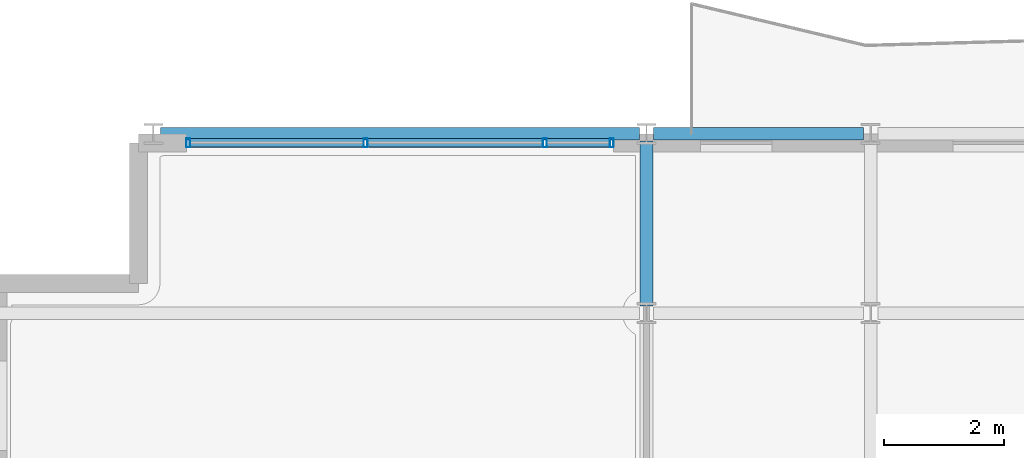
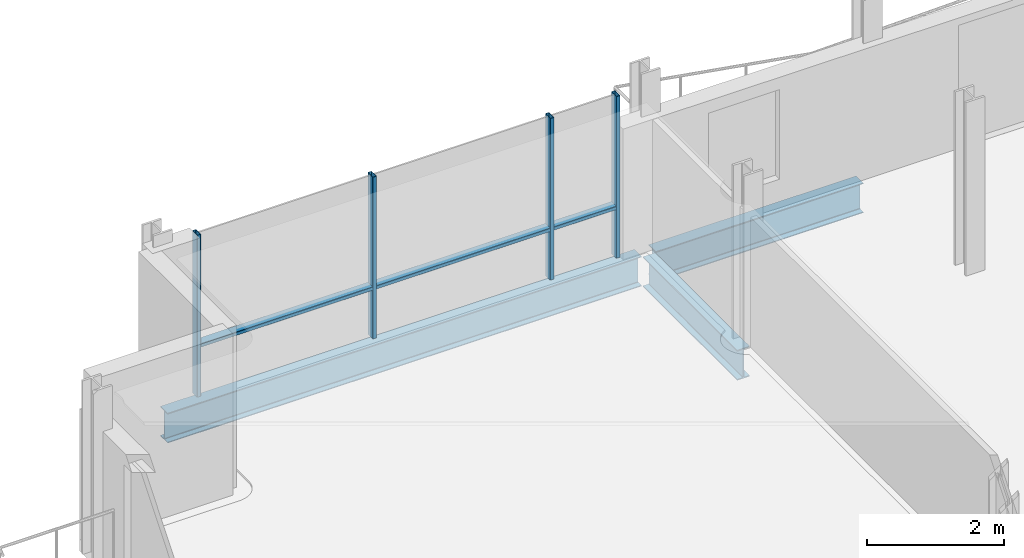
# One storey, part 2 of 12: 7 members, 3 beams, 1 element without a shape of its own.
"""IFC4 building model written with IfcOpenShell, lengths in metres."""

from ifc_helpers import new_model, si_unit, direction, frame, origin, origin_2d, place, context, subcontext, project, spatial, hollow_rectangle, i_section, extrude, material, layer, layer_set, material_profile, profile_set, type_object, element, aggregate, save


model = new_model("IFC4")

# Units and contexts
model_context = context("Model", 3, precision=1e-05, world=origin(), true_north=direction((0.0, 1.0)))
body_context = subcontext(model_context, "Body", "Model", "MODEL_VIEW")
ifc_project = project(units=[si_unit("LENGTHUNIT", "METRE"), si_unit("AREAUNIT", "SQUARE_METRE"), si_unit("VOLUMEUNIT", "CUBIC_METRE"), si_unit("PLANEANGLEUNIT", "RADIAN"), si_unit("MASSUNIT", "GRAM", prefix="KILO")], contexts=[model_context])

# Site, building, storey
site_placement = place(None, origin())
site = spatial("IfcSite", under=ifc_project, at=site_placement, CompositionType="ELEMENT")
building_placement = place(site_placement, origin())
building = spatial("IfcBuilding", under=site, at=building_placement, Name="Brevholm Reach", CompositionType="ELEMENT")
storey_placement = place(building_placement, frame((0.0, 0.0, 233.5)))
storey = spatial("IfcBuildingStorey", under=building, at=storey_placement, Name="L71", CompositionType="ELEMENT", Elevation=233.5)

# Beams
ifc_material_1 = material(Name="Structural Steel S355J2", Category="steel")
ifc_material_profile_1 = material_profile(ifc_material_1, i_section(OverallWidth=0.209228515625, OverallDepth=0.533203125, WebThickness=0.010009765625, FlangeThickness=0.015625, FilletRadius=0.0126953125, at=origin_2d()), Name="UKB 533x210x92")
ifc_profile_set_1 = profile_set([ifc_material_profile_1], Name="Structural Steel S355J2")
beam_type_1 = type_object("IfcBeamType", Name="BM-SP533", PredefinedType="SPANDREL", material=ifc_profile_set_1)
beam_1_placement = place(storey_placement, frame((30.1201171875, 26.5, -0.4765625), z_axis=(1.0, 0.0, 0.0), x_axis=(0.0, 1.0, 0.0)))
element("IfcBeam", 1, at=beam_1_placement, inside=storey, type_object=beam_type_1, Name="L71 SP-02 Framing Beam", PredefinedType="SPANDREL", context=body_context, shape_type="SweptSolid", body=[
    extrude(i_section(OverallWidth=0.209228515625, OverallDepth=0.533203125, WebThickness=0.010009765625, FlangeThickness=0.015625, FilletRadius=0.0126953125, at=origin_2d()), origin(), (0.0, 0.0, 1.0), 8.009765625),
])
beam_2_placement = place(storey_placement, frame((38.3701171875, 26.5, -0.4765625), z_axis=(1.0, 0.0, 0.0), x_axis=(0.0, 1.0, 0.0)))
element("IfcBeam", 2, at=beam_2_placement, inside=storey, type_object=beam_type_1, Name="L71 SP-02 Framing Beam", PredefinedType="SPANDREL", context=body_context, shape_type="SweptSolid", body=[
    extrude(i_section(OverallWidth=0.209228515625, OverallDepth=0.533203125, WebThickness=0.010009765625, FlangeThickness=0.015625, FilletRadius=0.0126953125, at=origin_2d()), origin(), (0.0, 0.0, 1.0), 3.509765625),
])
ifc_material_2 = material(Name="Structural Steel S355J2", Category="steel")
ifc_material_profile_2 = material_profile(ifc_material_2, i_section(OverallWidth=0.210693359375, OverallDepth=0.53955078125, WebThickness=0.01171875, FlangeThickness=0.018798828125, FilletRadius=0.0126953125, at=origin_2d()), Name="UKB 533x210x109")
ifc_profile_set_2 = profile_set([ifc_material_profile_2], Name="Structural Steel S355J2")
beam_type_2 = type_object("IfcBeamType", Name="BM-SP539", PredefinedType="SPANDREL", material=ifc_profile_set_2)
beam_3_placement = place(storey_placement, frame((38.25, 23.6201171875, -0.479736328125), z_axis=(0.0, 1.0, 0.0), x_axis=(-1.0, 0.0, 0.0)))
element("IfcBeam", 3, at=beam_3_placement, inside=storey, type_object=beam_type_2, Name="L71 SP-01B Framing Beam", PredefinedType="SPANDREL", context=body_context, shape_type="SweptSolid", body=[
    extrude(i_section(OverallWidth=0.210693359375, OverallDepth=0.53955078125, WebThickness=0.01171875, FlangeThickness=0.018798828125, FilletRadius=0.0126953125, at=origin_2d()), origin(), (0.0, 0.0, 1.0), 2.759765625),
])

# Curtain wall, members
ifc_material_3 = material(Name="Dark Anodised Aluminium 6063-T6 and Solar-Control Glass", Category="aluminium")
ifc_layer = layer(ifc_material_3, 0.14990234375)
ifc_layer_set = layer_set([ifc_layer], Name="Dark Anodised Aluminium 6063-T6 and Solar-Control Glass")
curtain_wall_type = type_object("IfcCurtainWallType", Name="CW-01", PredefinedType="NOTDEFINED", material=ifc_layer_set)
curtain_wall_placement = place(storey_placement, origin())
curtain_wall = element("IfcCurtainWall", 4, at=curtain_wall_placement, inside=storey, type_object=curtain_wall_type, Name="L71 Curtain Wall CW-01", PredefinedType="NOTDEFINED")
ifc_material_4 = material(Name="Dark Anodised Aluminium 6063-T6", Category="aluminium")
ifc_material_profile_3 = material_profile(ifc_material_4, hollow_rectangle(XDim=0.06494140625, YDim=0.14990234375, WallThickness=0.0048828125, InnerFilletRadius=0.0048828125, OuterFilletRadius=0.010009765625, at=origin_2d()), Name="RHS 150x65x5")
ifc_profile_set_3 = profile_set([ifc_material_profile_3], Name="Dark Anodised Aluminium 6063-T6")
member_type_1 = type_object("IfcMemberType", Name="CWM-150", PredefinedType="MULLION", material=ifc_profile_set_3)
member_1_placement = place(storey_placement, frame((30.58251953125, 26.35009765625, 0.0), z_axis=(0.0, 0.0, 1.0), x_axis=(1.0, 0.0, 0.0)))
member_1 = element("IfcMember", 5, at=member_1_placement, type_object=member_type_1, Name="CM-150 Mullion 1", PredefinedType="MULLION", context=body_context, shape_type="SweptSolid", body=[
    extrude(hollow_rectangle(XDim=0.06494140625, YDim=0.14990234375, WallThickness=0.0048828125, InnerFilletRadius=0.0048828125, OuterFilletRadius=0.010009765625, at=origin_2d()), origin(), (0.0, 0.0, 1.0), 2.889892578125),
])
member_2_placement = place(storey_placement, frame((33.550048828125, 26.35009765625, 0.0), z_axis=(0.0, 0.0, 1.0), x_axis=(1.0, 0.0, 0.0)))
member_2 = element("IfcMember", 6, at=member_2_placement, type_object=member_type_1, Name="CM-150 Mullion 2", PredefinedType="MULLION", context=body_context, shape_type="SweptSolid", body=[
    extrude(hollow_rectangle(XDim=0.06494140625, YDim=0.14990234375, WallThickness=0.0048828125, InnerFilletRadius=0.0048828125, OuterFilletRadius=0.010009765625, at=origin_2d()), origin(), (0.0, 0.0, 1.0), 2.889892578125),
])
member_3_placement = place(storey_placement, frame((36.550048828125, 26.35009765625, 0.0), z_axis=(0.0, 0.0, 1.0), x_axis=(1.0, 0.0, 0.0)))
member_3 = element("IfcMember", 7, at=member_3_placement, type_object=member_type_1, Name="CM-150 Mullion 3", PredefinedType="MULLION", context=body_context, shape_type="SweptSolid", body=[
    extrude(hollow_rectangle(XDim=0.06494140625, YDim=0.14990234375, WallThickness=0.0048828125, InnerFilletRadius=0.0048828125, OuterFilletRadius=0.010009765625, at=origin_2d()), origin(), (0.0, 0.0, 1.0), 2.889892578125),
])
member_4_placement = place(storey_placement, frame((37.66748046875, 26.35009765625, 0.0), z_axis=(0.0, 0.0, 1.0), x_axis=(1.0, 0.0, 0.0)))
member_4 = element("IfcMember", 8, at=member_4_placement, type_object=member_type_1, Name="CM-150 Mullion 4", PredefinedType="MULLION", context=body_context, shape_type="SweptSolid", body=[
    extrude(hollow_rectangle(XDim=0.06494140625, YDim=0.14990234375, WallThickness=0.0048828125, InnerFilletRadius=0.0048828125, OuterFilletRadius=0.010009765625, at=origin_2d()), origin(), (0.0, 0.0, 1.0), 2.889892578125),
])
ifc_material_5 = material(Name="Dark Anodised Aluminium 6063-T6", Category="aluminium")
ifc_material_profile_4 = material_profile(ifc_material_5, hollow_rectangle(XDim=0.06494140625, YDim=0.14990234375, WallThickness=0.0048828125, InnerFilletRadius=0.0048828125, OuterFilletRadius=0.010009765625, at=origin_2d()), Name="RHS 150x65x5")
ifc_profile_set_4 = profile_set([ifc_material_profile_4], Name="Dark Anodised Aluminium 6063-T6")
member_type_2 = type_object("IfcMemberType", Name="CWT-150", PredefinedType="NOTDEFINED", material=ifc_profile_set_4)
member_5_placement = place(storey_placement, frame((30.614990234375, 26.35009765625, 0.89990234375), z_axis=(1.0, 0.0, 0.0), x_axis=(0.0, 0.0, 1.0)))
member_5 = element("IfcMember", 9, at=member_5_placement, type_object=member_type_2, Name="CT-150 Transom 1.1", ObjectType="TRANSOM", PredefinedType="USERDEFINED", context=body_context, shape_type="SweptSolid", body=[
    extrude(hollow_rectangle(XDim=0.06494140625, YDim=0.14990234375, WallThickness=0.0048828125, InnerFilletRadius=0.0048828125, OuterFilletRadius=0.010009765625, at=origin_2d()), origin(), (0.0, 0.0, 1.0), 2.902587890625),
])
member_6_placement = place(storey_placement, frame((33.58251953125, 26.35009765625, 0.89990234375), z_axis=(1.0, 0.0, 0.0), x_axis=(0.0, 0.0, 1.0)))
member_6 = element("IfcMember", 10, at=member_6_placement, type_object=member_type_2, Name="CT-150 Transom 2.1", ObjectType="TRANSOM", PredefinedType="USERDEFINED", context=body_context, shape_type="SweptSolid", body=[
    extrude(hollow_rectangle(XDim=0.06494140625, YDim=0.14990234375, WallThickness=0.0048828125, InnerFilletRadius=0.0048828125, OuterFilletRadius=0.010009765625, at=origin_2d()), origin(), (0.0, 0.0, 1.0), 2.93505859375),
])
member_7_placement = place(storey_placement, frame((36.58251953125, 26.35009765625, 0.89990234375), z_axis=(1.0, 0.0, 0.0), x_axis=(0.0, 0.0, 1.0)))
member_7 = element("IfcMember", 11, at=member_7_placement, type_object=member_type_2, Name="CT-150 Transom 3.1", ObjectType="TRANSOM", PredefinedType="USERDEFINED", context=body_context, shape_type="SweptSolid", body=[
    extrude(hollow_rectangle(XDim=0.06494140625, YDim=0.14990234375, WallThickness=0.0048828125, InnerFilletRadius=0.0048828125, OuterFilletRadius=0.010009765625, at=origin_2d()), origin(), (0.0, 0.0, 1.0), 1.052490234375),
])
aggregate(curtain_wall, [member_1, member_2, member_3, member_4, member_5, member_6, member_7])

save(model, "model.ifc")
